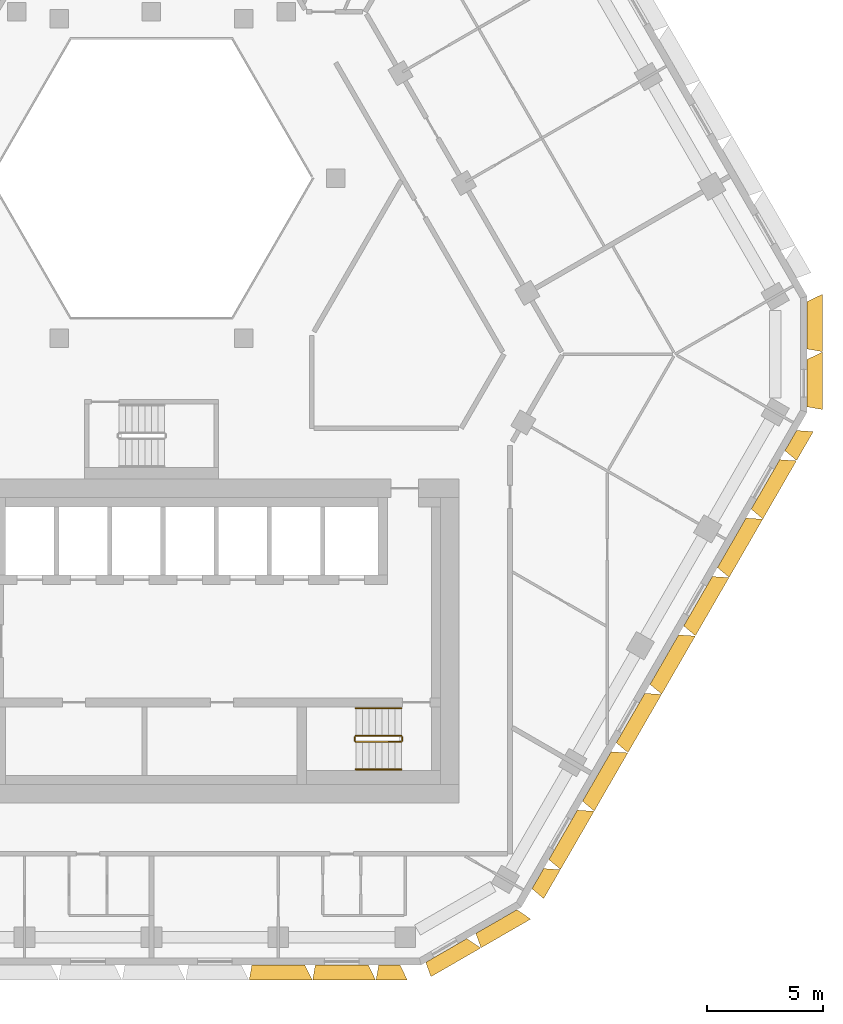
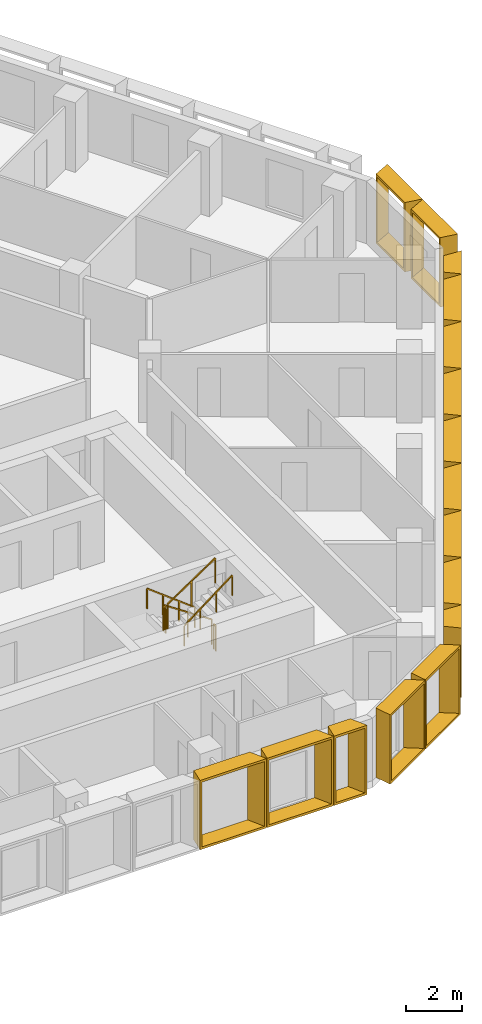
# One storey, part 14 of 15: 16 shading devices, 6 railings.
"""IFC4 building model written with IfcOpenShell, lengths in metres."""

from ifc_helpers import new_model, entity, si_unit, direction, frame, origin, origin_2d, place, context, subcontext, project, spatial, rectangle, extrude, source, transform, mapped, material, type_object, type_shapes, element, save


model = new_model("IFC4")

# Units and contexts
model_context = context("Model", 3, precision=1e-05, world=origin(), true_north=direction((0.0, 1.0)))
body_context = subcontext(model_context, "Body", "Model", "MODEL_VIEW")
ifc_project = project(units=[si_unit("LENGTHUNIT", "METRE"), si_unit("AREAUNIT", "SQUARE_METRE"), si_unit("VOLUMEUNIT", "CUBIC_METRE"), si_unit("PLANEANGLEUNIT", "RADIAN"), si_unit("MASSUNIT", "GRAM", prefix="KILO")], contexts=[model_context])

# Site, building, storey
site_placement = place(None, origin())
site = spatial("IfcSite", under=ifc_project, at=site_placement, CompositionType="ELEMENT")
building_placement = place(site_placement, origin())
building = spatial("IfcBuilding", under=site, at=building_placement, Name="Beryl Residences", CompositionType="ELEMENT")
storey_placement = place(building_placement, frame((0.0, 0.0, 123.60009765625)))
storey = spatial("IfcBuildingStorey", under=building, at=storey_placement, Name="L37", CompositionType="ELEMENT", Elevation=123.60009765625)

# Shading devices
ifc_material_1 = material(Name="Aluminium pale anodised", Category="aluminium")
shading_device_type_1 = type_object("IfcShadingDeviceType", Name="FR137-65C OUTER SKIN frame 650 mm deep, splay 10/26 deg, 1370 x 3000 mm cell", PredefinedType="USERDEFINED", material=ifc_material_1)
cartesian_point_1 = entity("IfcCartesianPoint", [-0.458984375, 0.0])
cartesian_point_2 = entity("IfcCartesianPoint", [-0.377685546875, 0.10009765625])
cartesian_point_3 = entity("IfcCartesianPoint", [-0.57373046875, 0.0])
cartesian_point_4 = entity("IfcCartesianPoint", [-0.492431640625, 0.10009765625])
shared_shape_1 = source(origin(), body_context, "Body", "SweptSolid", [
    entity("IfcExtrudedAreaSolidTapered", entity("IfcArbitraryProfileDefWithVoids", "AREA", None, entity("IfcPolyline", [cartesian_point_1, entity("IfcCartesianPoint", [0.458984375, 0.0]), entity("IfcCartesianPoint", [0.458984375, 3.0]), entity("IfcCartesianPoint", [-0.458984375, 3.0]), cartesian_point_1]), [entity("IfcPolyline", [cartesian_point_2, entity("IfcCartesianPoint", [0.369873046875, 0.10009765625]), entity("IfcCartesianPoint", [0.369873046875, 2.89990234375]), entity("IfcCartesianPoint", [-0.377685546875, 2.89990234375]), cartesian_point_2])]), entity("IfcAxis2Placement3D", entity("IfcCartesianPoint", [0.0, 0.0, 0.0]), entity("IfcDirection", [0.0, 1.0, 0.0]), entity("IfcDirection", [-1.0, 0.0, 0.0])), entity("IfcDirection", [0.0, 0.0, 1.0]), 0.64990234375, entity("IfcArbitraryProfileDefWithVoids", "AREA", None, entity("IfcPolyline", [cartesian_point_3, entity("IfcCartesianPoint", [0.776123046875, 0.0]), entity("IfcCartesianPoint", [0.776123046875, 3.0]), entity("IfcCartesianPoint", [-0.57373046875, 3.0]), cartesian_point_3]), [entity("IfcPolyline", [cartesian_point_4, entity("IfcCartesianPoint", [0.68701171875, 0.10009765625]), entity("IfcCartesianPoint", [0.68701171875, 2.89990234375]), entity("IfcCartesianPoint", [-0.492431640625, 2.89990234375]), cartesian_point_4])])),
])
type_shapes(shading_device_type_1, [shared_shape_1])
shading_device_placement = place(storey_placement, frame((10.284912109375, -26.0, 0.0), z_axis=(0.0, 0.0, 1.0), x_axis=(-1.0, 0.0, 0.0)))
element("IfcShadingDevice", 1, at=shading_device_placement, inside=storey, type_object=shading_device_type_1, Name="FR137-65C frame L37 S 9", ObjectType="OUTER SKIN", PredefinedType="USERDEFINED", context=body_context, shape_type="MappedRepresentation", body=[
    mapped(shared_shape_1, transform((0.0, 0.0, 0.0))),
])
ifc_material_2 = material(Name="Aluminium pale anodised", Category="aluminium")
shading_device_type_2 = type_object("IfcShadingDeviceType", Name="FR146-65C OUTER SKIN frame 650 mm deep, splay 10/26 deg, 1460 x 3000 mm cell", PredefinedType="USERDEFINED", material=ifc_material_2)
cartesian_point_5 = entity("IfcCartesianPoint", [-0.50390625, 0.0])
cartesian_point_6 = entity("IfcCartesianPoint", [-0.4228515625, 0.10009765625])
cartesian_point_7 = entity("IfcCartesianPoint", [-0.61865234375, 0.0])
cartesian_point_8 = entity("IfcCartesianPoint", [-0.537353515625, 0.10009765625])
shared_shape_2 = source(origin(), body_context, "Body", "SweptSolid", [
    entity("IfcExtrudedAreaSolidTapered", entity("IfcArbitraryProfileDefWithVoids", "AREA", None, entity("IfcPolyline", [cartesian_point_5, entity("IfcCartesianPoint", [0.50390625, 0.0]), entity("IfcCartesianPoint", [0.50390625, 3.0]), entity("IfcCartesianPoint", [-0.50390625, 3.0]), cartesian_point_5]), [entity("IfcPolyline", [cartesian_point_6, entity("IfcCartesianPoint", [0.4150390625, 0.10009765625]), entity("IfcCartesianPoint", [0.4150390625, 2.89990234375]), entity("IfcCartesianPoint", [-0.4228515625, 2.89990234375]), cartesian_point_6])]), entity("IfcAxis2Placement3D", entity("IfcCartesianPoint", [0.0, 0.0, 0.0]), entity("IfcDirection", [0.0, 1.0, 0.0]), entity("IfcDirection", [-1.0, 0.0, 0.0])), entity("IfcDirection", [0.0, 0.0, 1.0]), 0.64990234375, entity("IfcArbitraryProfileDefWithVoids", "AREA", None, entity("IfcPolyline", [cartesian_point_7, entity("IfcCartesianPoint", [0.821044921875, 0.0]), entity("IfcCartesianPoint", [0.821044921875, 3.0]), entity("IfcCartesianPoint", [-0.61865234375, 3.0]), cartesian_point_7]), [entity("IfcPolyline", [cartesian_point_8, entity("IfcCartesianPoint", [0.73193359375, 0.10009765625]), entity("IfcCartesianPoint", [0.73193359375, 2.89990234375]), entity("IfcCartesianPoint", [-0.537353515625, 2.89990234375]), cartesian_point_8])])),
])
type_shapes(shading_device_type_2, [shared_shape_2])
for number, where, z_axis, x_axis, name in (
    (2, (16.702880859375, -22.26904296875, 0.0), (0.0, 0.0, 1.0), (-0.5, -0.866025403784, 0.0), "FR146-65C frame L37 SE 1"),
    (3, (27.635986328125, -3.33203125, 0.0), (0.0, 0.0, 1.0), (-0.5, -0.866025403784, 0.0), "FR146-65C frame L37 SE 9"),
):
    element("IfcShadingDevice", number, at=place(storey_placement, frame(where, z_axis=z_axis, x_axis=x_axis)), inside=storey, type_object=shading_device_type_2, Name=name, ObjectType="OUTER SKIN", PredefinedType="USERDEFINED", context=body_context, shape_type="MappedRepresentation", body=[
        mapped(shared_shape_2, transform((0.0, 0.0, 0.0))),
    ])
ifc_material_3 = material(Name="Aluminium pale anodised", Category="aluminium")
shading_device_type_3 = type_object("IfcShadingDeviceType", Name="FR250-65C OUTER SKIN frame 650 mm deep, splay 10/26 deg, 2500 x 3000 mm cell", PredefinedType="USERDEFINED", material=ifc_material_3)
cartesian_point_9 = entity("IfcCartesianPoint", [-1.02392578125, 0.0])
cartesian_point_10 = entity("IfcCartesianPoint", [-0.94287109375, 0.10009765625])
cartesian_point_11 = entity("IfcCartesianPoint", [-1.138671875, 0.0])
cartesian_point_12 = entity("IfcCartesianPoint", [-1.057373046875, 0.10009765625])
shared_shape_3 = source(origin(), body_context, "Body", "SweptSolid", [
    entity("IfcExtrudedAreaSolidTapered", entity("IfcArbitraryProfileDefWithVoids", "AREA", None, entity("IfcPolyline", [cartesian_point_9, entity("IfcCartesianPoint", [1.02392578125, 0.0]), entity("IfcCartesianPoint", [1.02392578125, 3.0]), entity("IfcCartesianPoint", [-1.02392578125, 3.0]), cartesian_point_9]), [entity("IfcPolyline", [cartesian_point_10, entity("IfcCartesianPoint", [0.93505859375, 0.10009765625]), entity("IfcCartesianPoint", [0.93505859375, 2.89990234375]), entity("IfcCartesianPoint", [-0.94287109375, 2.89990234375]), cartesian_point_10])]), entity("IfcAxis2Placement3D", entity("IfcCartesianPoint", [0.0, 0.0, 0.0]), entity("IfcDirection", [0.0, 1.0, 0.0]), entity("IfcDirection", [-1.0, 0.0, 0.0])), entity("IfcDirection", [0.0, 0.0, 1.0]), 0.64990234375, entity("IfcArbitraryProfileDefWithVoids", "AREA", None, entity("IfcPolyline", [cartesian_point_11, entity("IfcCartesianPoint", [1.341064453125, 0.0]), entity("IfcCartesianPoint", [1.341064453125, 3.0]), entity("IfcCartesianPoint", [-1.138671875, 3.0]), cartesian_point_11]), [entity("IfcPolyline", [cartesian_point_12, entity("IfcCartesianPoint", [1.251953125, 0.10009765625]), entity("IfcCartesianPoint", [1.251953125, 2.89990234375]), entity("IfcCartesianPoint", [-1.057373046875, 2.89990234375]), cartesian_point_12])])),
])
type_shapes(shading_device_type_3, [shared_shape_3])
for number, where, z_axis, x_axis, name in (
    (4, (12.7451171875, -25.375, 0.0), (0.0, 0.0, 1.0), (-0.866025403784, -0.5, 0.0), "FR250-65C frame L37 S-SE 1"),
    (5, (14.909912109375, -24.125, 0.0), (0.0, 0.0, 1.0), (-0.866025403784, -0.5, 0.0), "FR250-65C frame L37 S-SE 2"),
    (6, (28.347900390625, -0.85009765625, 0.0), (0.0, 0.0, 1.0), (0.0, -1.0, 0.0), "FR250-65C frame L37 SE-NE 1"),
    (7, (28.347900390625, 1.64990234375, 0.0), (0.0, 0.0, 1.0), (0.0, -1.0, 0.0), "FR250-65C frame L37 SE-NE 2"),
):
    element("IfcShadingDevice", number, at=place(storey_placement, frame(where, z_axis=z_axis, x_axis=x_axis)), inside=storey, type_object=shading_device_type_3, Name=name, ObjectType="OUTER SKIN", PredefinedType="USERDEFINED", context=body_context, shape_type="MappedRepresentation", body=[
        mapped(shared_shape_3, transform((0.0, 0.0, 0.0))),
    ])
ifc_material_4 = material(Name="Aluminium pale anodised", Category="aluminium")
shading_device_type_4 = type_object("IfcShadingDeviceType", Name="FR274-65C OUTER SKIN frame 650 mm deep, splay 10/26 deg, 2740 x 3000 mm cell", PredefinedType="USERDEFINED", material=ifc_material_4)
cartesian_point_13 = entity("IfcCartesianPoint", [-1.14404296875, 0.0])
cartesian_point_14 = entity("IfcCartesianPoint", [-1.062744140625, 0.10009765625])
cartesian_point_15 = entity("IfcCartesianPoint", [-1.258544921875, 0.0])
cartesian_point_16 = entity("IfcCartesianPoint", [-1.177490234375, 0.10009765625])
shared_shape_4 = source(origin(), body_context, "Body", "SweptSolid", [
    entity("IfcExtrudedAreaSolidTapered", entity("IfcArbitraryProfileDefWithVoids", "AREA", None, entity("IfcPolyline", [cartesian_point_13, entity("IfcCartesianPoint", [1.14404296875, 0.0]), entity("IfcCartesianPoint", [1.14404296875, 3.0]), entity("IfcCartesianPoint", [-1.14404296875, 3.0]), cartesian_point_13]), [entity("IfcPolyline", [cartesian_point_14, entity("IfcCartesianPoint", [1.054931640625, 0.10009765625]), entity("IfcCartesianPoint", [1.054931640625, 2.89990234375]), entity("IfcCartesianPoint", [-1.062744140625, 2.89990234375]), cartesian_point_14])]), entity("IfcAxis2Placement3D", entity("IfcCartesianPoint", [0.0, 0.0, 0.0]), entity("IfcDirection", [0.0, 1.0, 0.0]), entity("IfcDirection", [-1.0, 0.0, 0.0])), entity("IfcDirection", [0.0, 0.0, 1.0]), 0.64990234375, entity("IfcArbitraryProfileDefWithVoids", "AREA", None, entity("IfcPolyline", [cartesian_point_15, entity("IfcCartesianPoint", [1.4609375, 0.0]), entity("IfcCartesianPoint", [1.4609375, 3.0]), entity("IfcCartesianPoint", [-1.258544921875, 3.0]), cartesian_point_15]), [entity("IfcPolyline", [cartesian_point_16, entity("IfcCartesianPoint", [1.3720703125, 0.10009765625]), entity("IfcCartesianPoint", [1.3720703125, 2.89990234375]), entity("IfcCartesianPoint", [-1.177490234375, 2.89990234375]), cartesian_point_16])])),
])
type_shapes(shading_device_type_4, [shared_shape_4])
for number, where, z_axis, x_axis, name in (
    (8, (5.486083984375, -26.0, 0.0), (0.0, 0.0, 1.0), (-1.0, 0.0, 0.0), "FR274-65C frame L37 S 7"),
    (9, (8.22900390625, -26.0, 0.0), (0.0, 0.0, 1.0), (-1.0, 0.0, 0.0), "FR274-65C frame L37 S 8"),
):
    element("IfcShadingDevice", number, at=place(storey_placement, frame(where, z_axis=z_axis, x_axis=x_axis)), inside=storey, type_object=shading_device_type_4, Name=name, ObjectType="OUTER SKIN", PredefinedType="USERDEFINED", context=body_context, shape_type="MappedRepresentation", body=[
        mapped(shared_shape_4, transform((0.0, 0.0, 0.0))),
    ])
ifc_material_5 = material(Name="Aluminium pale anodised", Category="aluminium")
shading_device_type_5 = type_object("IfcShadingDeviceType", Name="FR292-65C OUTER SKIN frame 650 mm deep, splay 10/26 deg, 2920 x 3000 mm cell", PredefinedType="USERDEFINED", material=ifc_material_5)
cartesian_point_17 = entity("IfcCartesianPoint", [-1.23388671875, 0.0])
cartesian_point_18 = entity("IfcCartesianPoint", [-1.15283203125, 0.10009765625])
cartesian_point_19 = entity("IfcCartesianPoint", [-1.3486328125, 0.0])
cartesian_point_20 = entity("IfcCartesianPoint", [-1.267333984375, 0.10009765625])
shared_shape_5 = source(origin(), body_context, "Body", "SweptSolid", [
    entity("IfcExtrudedAreaSolidTapered", entity("IfcArbitraryProfileDefWithVoids", "AREA", None, entity("IfcPolyline", [cartesian_point_17, entity("IfcCartesianPoint", [1.23388671875, 0.0]), entity("IfcCartesianPoint", [1.23388671875, 3.0]), entity("IfcCartesianPoint", [-1.23388671875, 3.0]), cartesian_point_17]), [entity("IfcPolyline", [cartesian_point_18, entity("IfcCartesianPoint", [1.14501953125, 0.10009765625]), entity("IfcCartesianPoint", [1.14501953125, 2.89990234375]), entity("IfcCartesianPoint", [-1.15283203125, 2.89990234375]), cartesian_point_18])]), entity("IfcAxis2Placement3D", entity("IfcCartesianPoint", [0.0, 0.0, 0.0]), entity("IfcDirection", [0.0, 1.0, 0.0]), entity("IfcDirection", [-1.0, 0.0, 0.0])), entity("IfcDirection", [0.0, 0.0, 1.0]), 0.64990234375, entity("IfcArbitraryProfileDefWithVoids", "AREA", None, entity("IfcPolyline", [cartesian_point_19, entity("IfcCartesianPoint", [1.551025390625, 0.0]), entity("IfcCartesianPoint", [1.551025390625, 3.0]), entity("IfcCartesianPoint", [-1.3486328125, 3.0]), cartesian_point_19]), [entity("IfcPolyline", [cartesian_point_20, entity("IfcCartesianPoint", [1.4619140625, 0.10009765625]), entity("IfcCartesianPoint", [1.4619140625, 2.89990234375]), entity("IfcCartesianPoint", [-1.267333984375, 2.89990234375]), cartesian_point_20])])),
])
type_shapes(shading_device_type_5, [shared_shape_5])
for number, where, z_axis, x_axis, name in (
    (10, (17.7958984375, -20.3759765625, 0.0), (0.0, 0.0, 1.0), (-0.5, -0.866025403784, 0.0), "FR292-65C frame L37 SE 2"),
    (11, (19.25390625, -17.85107421875, 0.0), (0.0, 0.0, 1.0), (-0.5, -0.866025403784, 0.0), "FR292-65C frame L37 SE 3"),
    (12, (20.7119140625, -15.325927734375, 0.0), (0.0, 0.0, 1.0), (-0.5, -0.866025403784, 0.0), "FR292-65C frame L37 SE 4"),
    (13, (22.169921875, -12.801025390625, 0.0), (0.0, 0.0, 1.0), (-0.5, -0.866025403784, 0.0), "FR292-65C frame L37 SE 5"),
    (14, (23.626953125, -10.27587890625, 0.0), (0.0, 0.0, 1.0), (-0.5, -0.866025403784, 0.0), "FR292-65C frame L37 SE 6"),
    (15, (25.0849609375, -7.7509765625, 0.0), (0.0, 0.0, 1.0), (-0.5, -0.866025403784, 0.0), "FR292-65C frame L37 SE 7"),
    (16, (26.54296875, -5.22607421875, 0.0), (0.0, 0.0, 1.0), (-0.5, -0.866025403784, 0.0), "FR292-65C frame L37 SE 8"),
):
    element("IfcShadingDevice", number, at=place(storey_placement, frame(where, z_axis=z_axis, x_axis=x_axis)), inside=storey, type_object=shading_device_type_5, Name=name, ObjectType="OUTER SKIN", PredefinedType="USERDEFINED", context=body_context, shape_type="MappedRepresentation", body=[
        mapped(shared_shape_5, transform((0.0, 0.0, 0.0))),
    ])

# Railings
ifc_material_6 = material(Name="Stainless steel balustrade with glass infill", Category="steel")
railing_type_1 = type_object("IfcRailingType", Name="SG1 stair guard 1100 mm", PredefinedType="GUARDRAIL", material=ifc_material_6)
railing_1_placement = place(storey_placement, frame((10.800048828125, -16.10009765625, 0.1875)))
element("IfcRailing", 17, at=railing_1_placement, inside=storey, type_object=railing_type_1, Name="L37 ST-3 stair guard 1", PredefinedType="GUARDRAIL", context=body_context, shape_type="SweptSolid", body=[
    extrude(rectangle(XDim=0.048095703125, YDim=0.048095703125, at=origin_2d()), frame((0.0, 0.0, 1.076171875), z_axis=(-0.830902050051, 0.0, 0.556418712142), x_axis=(0.0, -1.0, 0.0)), (0.0, 0.0, 1.0), 2.35888671875),
    extrude(rectangle(XDim=0.0419921875, YDim=0.0419921875, at=origin_2d()), origin(), (0.0, 0.0, 1.0), 1.052001953125),
    extrude(rectangle(XDim=0.0419921875, YDim=0.0419921875, at=origin_2d()), frame((-0.97998046875, 0.0, 0.65625)), (0.0, 0.0, 1.0), 1.052001953125),
    extrude(rectangle(XDim=0.0419921875, YDim=0.0419921875, at=origin_2d()), frame((-1.9599609375, 0.0, 1.3125)), (0.0, 0.0, 1.0), 1.052001953125),
])
railing_2_placement = place(storey_placement, frame((8.7900390625, -16.14990234375, 1.5)))
element("IfcRailing", 18, at=railing_2_placement, inside=storey, type_object=railing_type_1, Name="L37 ST-3 stair guard 2", PredefinedType="GUARDRAIL", context=body_context, shape_type="SweptSolid", body=[
    extrude(rectangle(XDim=0.048095703125, YDim=0.048095703125, at=origin_2d()), frame((0.0, 0.0, 1.076171875), z_axis=(0.0, -1.0, 0.0), x_axis=(1.0, 0.0, 0.0)), (0.0, 0.0, 1.0), 0.150146484375),
    extrude(rectangle(XDim=0.0419921875, YDim=0.0419921875, at=origin_2d()), origin(), (0.0, 0.0, 1.0), 1.052001953125),
    extrude(rectangle(XDim=0.0419921875, YDim=0.0419921875, at=origin_2d()), frame((0.0, -0.150146484375, 0.0)), (0.0, 0.0, 1.0), 1.052001953125),
])
railing_3_placement = place(storey_placement, frame((8.840087890625, -16.35009765625, 1.6875)))
element("IfcRailing", 19, at=railing_3_placement, inside=storey, type_object=railing_type_1, Name="L37 ST-3 stair guard 3", PredefinedType="GUARDRAIL", context=body_context, shape_type="SweptSolid", body=[
    extrude(rectangle(XDim=0.048095703125, YDim=0.048095703125, at=origin_2d()), frame((0.0, 0.0, 1.076171875), z_axis=(0.830902050051, 0.0, 0.556418712142), x_axis=(0.0, 1.0, 0.0)), (0.0, 0.0, 1.0), 2.35888671875),
    extrude(rectangle(XDim=0.0419921875, YDim=0.0419921875, at=origin_2d()), origin(), (0.0, 0.0, 1.0), 1.052001953125),
    extrude(rectangle(XDim=0.0419921875, YDim=0.0419921875, at=origin_2d()), frame((0.97998046875, 0.0, 0.65625)), (0.0, 0.0, 1.0), 1.052001953125),
    extrude(rectangle(XDim=0.0419921875, YDim=0.0419921875, at=origin_2d()), frame((1.9599609375, 0.0, 1.3125)), (0.0, 0.0, 1.0), 1.052001953125),
])
railing_4_placement = place(storey_placement, frame((10.85009765625, -16.14990234375, 0.0)))
element("IfcRailing", 20, at=railing_4_placement, inside=storey, type_object=railing_type_1, Name="L37 ST-3 stair guard 4", PredefinedType="GUARDRAIL", context=body_context, shape_type="SweptSolid", body=[
    extrude(rectangle(XDim=0.048095703125, YDim=0.048095703125, at=origin_2d()), frame((0.0, 0.0, 1.076171875), z_axis=(0.0, -1.0, 0.0), x_axis=(1.0, 0.0, 0.0)), (0.0, 0.0, 1.0), 0.150146484375),
    extrude(rectangle(XDim=0.0419921875, YDim=0.0419921875, at=origin_2d()), origin(), (0.0, 0.0, 1.0), 1.052001953125),
    extrude(rectangle(XDim=0.0419921875, YDim=0.0419921875, at=origin_2d()), frame((0.0, -0.150146484375, 0.0)), (0.0, 0.0, 1.0), 1.052001953125),
])
ifc_material_7 = material(Name="Stainless steel handrail", Category="steel")
railing_type_2 = type_object("IfcRailingType", Name="SRL1 stair handrail 900 mm", PredefinedType="HANDRAIL", material=ifc_material_7)
railing_5_placement = place(storey_placement, frame((10.800048828125, -14.89990234375, 0.1875)))
element("IfcRailing", 21, at=railing_5_placement, inside=storey, type_object=railing_type_2, Name="L37 ST-3 stair handrail 1", PredefinedType="HANDRAIL", context=body_context, shape_type="SweptSolid", body=[
    extrude(rectangle(XDim=0.048095703125, YDim=0.048095703125, at=origin_2d()), frame((0.0, 0.0, 0.8759765625), z_axis=(-0.794121922505, 0.0, 0.607758481798), x_axis=(0.0, -1.0, 0.0)), (0.0, 0.0, 1.0), 2.468017578125),
    extrude(rectangle(XDim=0.0419921875, YDim=0.0419921875, at=origin_2d()), origin(), (0.0, 0.0, 1.0), 0.851806640625),
    extrude(rectangle(XDim=0.0419921875, YDim=0.0419921875, at=origin_2d()), frame((-0.6533203125, 0.0, 0.5)), (0.0, 0.0, 1.0), 0.851806640625),
    extrude(rectangle(XDim=0.0419921875, YDim=0.0419921875, at=origin_2d()), frame((-1.306640625, 0.0, 1.0)), (0.0, 0.0, 1.0), 0.851806640625),
    extrude(rectangle(XDim=0.0419921875, YDim=0.0419921875, at=origin_2d()), frame((-1.9599609375, 0.0, 1.5)), (0.0, 0.0, 1.0), 0.851806640625),
])
railing_6_placement = place(storey_placement, frame((8.840087890625, -17.550048828125, 1.6875)))
element("IfcRailing", 22, at=railing_6_placement, inside=storey, type_object=railing_type_2, Name="L37 ST-3 stair handrail 2", PredefinedType="HANDRAIL", context=body_context, shape_type="SweptSolid", body=[
    extrude(rectangle(XDim=0.048095703125, YDim=0.048095703125, at=origin_2d()), frame((0.0, 0.0, 0.8759765625), z_axis=(0.794121922505, 0.0, 0.607758481798), x_axis=(0.0, 1.0, 0.0)), (0.0, 0.0, 1.0), 2.468017578125),
    extrude(rectangle(XDim=0.0419921875, YDim=0.0419921875, at=origin_2d()), origin(), (0.0, 0.0, 1.0), 0.851806640625),
    extrude(rectangle(XDim=0.0419921875, YDim=0.0419921875, at=origin_2d()), frame((0.6533203125, 0.0, 0.5)), (0.0, 0.0, 1.0), 0.851806640625),
    extrude(rectangle(XDim=0.0419921875, YDim=0.0419921875, at=origin_2d()), frame((1.306640625, 0.0, 1.0)), (0.0, 0.0, 1.0), 0.851806640625),
    extrude(rectangle(XDim=0.0419921875, YDim=0.0419921875, at=origin_2d()), frame((1.9599609375, 0.0, 1.5)), (0.0, 0.0, 1.0), 0.851806640625),
])

save(model, "model.ifc")
